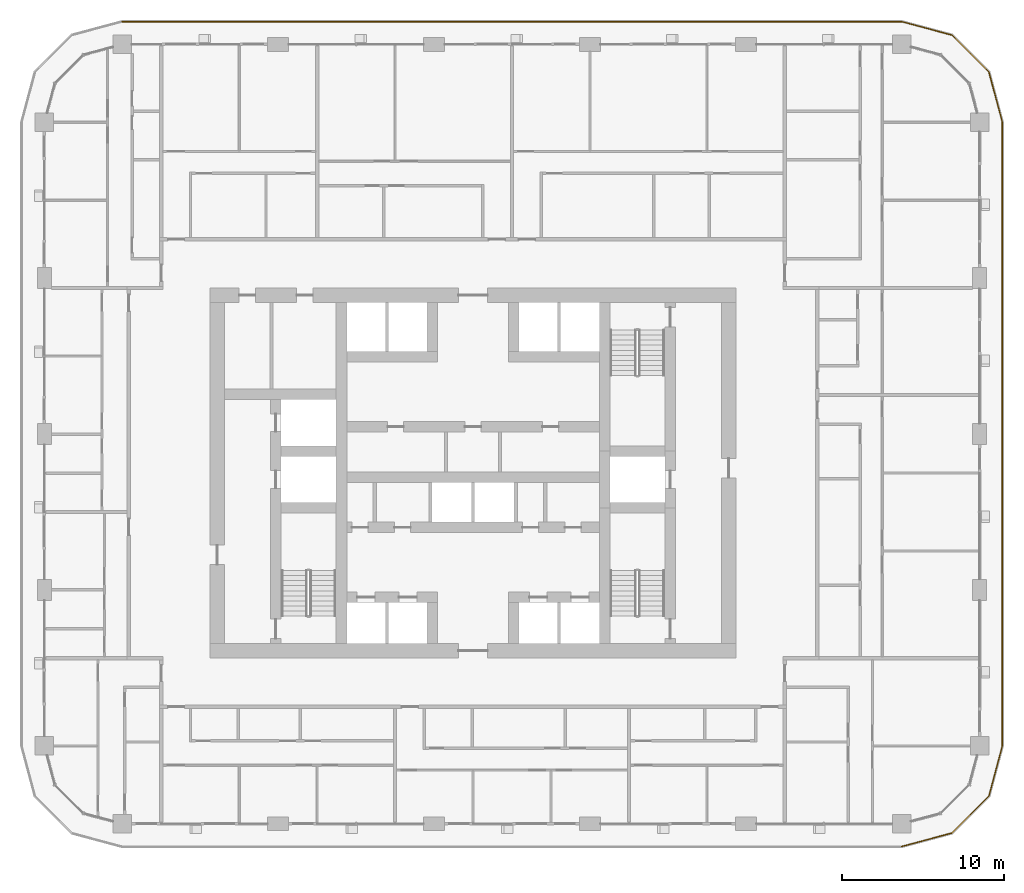
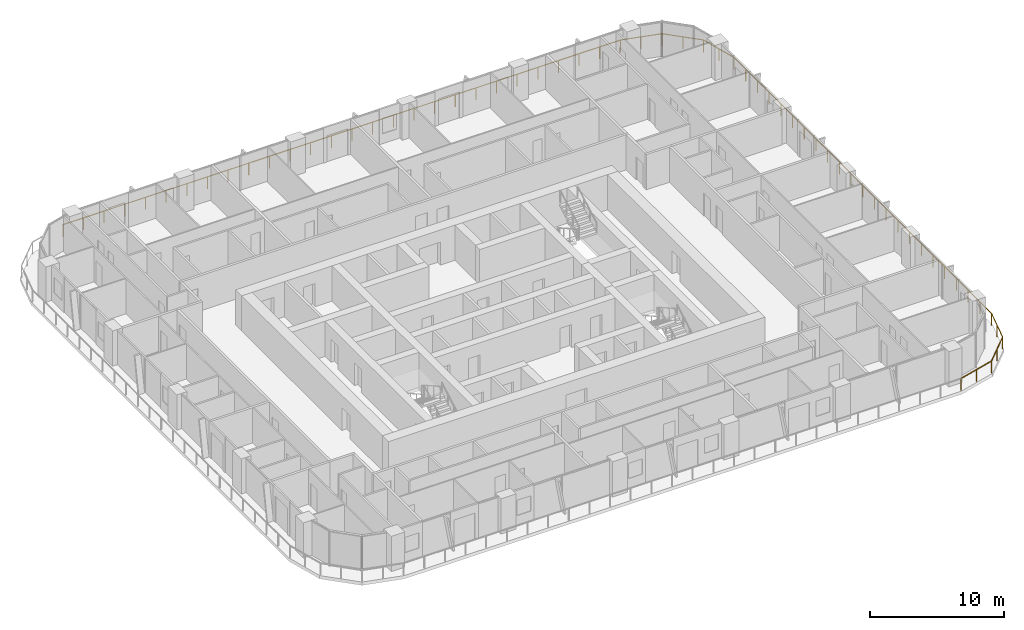
# One storey, part 20 of 22: 1 railing.
"""IFC4 building model written with IfcOpenShell, lengths in metres."""

from ifc_helpers import new_model, si_unit, direction, frame, origin, origin_2d, place, context, subcontext, project, spatial, circle, extrude, material, type_object, element, save


model = new_model("IFC4")

# Units and contexts
model_context = context("Model", 3, precision=1e-05, world=origin(), true_north=direction((0.0, 1.0)))
body_context = subcontext(model_context, "Body", "Model", "MODEL_VIEW")
ifc_project = project(units=[si_unit("LENGTHUNIT", "METRE"), si_unit("AREAUNIT", "SQUARE_METRE"), si_unit("VOLUMEUNIT", "CUBIC_METRE"), si_unit("PLANEANGLEUNIT", "RADIAN"), si_unit("MASSUNIT", "GRAM", prefix="KILO")], contexts=[model_context])

# Site, building, storey
site_placement = place(None, origin())
site = spatial("IfcSite", under=ifc_project, at=site_placement, CompositionType="ELEMENT")
building_placement = place(site_placement, origin())
building = spatial("IfcBuilding", under=site, at=building_placement, Name="Madar Terraces", CompositionType="ELEMENT")
storey_placement = place(building_placement, frame((0.0, 0.0, 99.699951171875)))
storey = spatial("IfcBuildingStorey", under=building, at=storey_placement, Name="L25", CompositionType="ELEMENT", Elevation=99.699951171875)

# Railing
ifc_material = material(Name="Glass, safety glazing, with stainless steel posts", Category="steel")
railing_type = type_object("IfcRailingType", Name="Balcony glass guard 1100", PredefinedType="GUARDRAIL", material=ifc_material)
railing_placement = place(storey_placement, frame((57.60009765625, 3.39990234375, 0.0)))
element("IfcRailing", 1, at=railing_placement, inside=storey, type_object=railing_type, Name="Balcony guard", PredefinedType="GUARDRAIL", context=body_context, shape_type="SweptSolid", body=[
    extrude(circle(Radius=0.02392578125, at=origin_2d()), frame((0.0, 0.0, 1.076171875), z_axis=(0.965909675762, 0.25887931217, 0.0), x_axis=(-0.25887931217, 0.965909675762, 0.0)), (0.0, 0.0, 1.0), 3.209228515625),
    extrude(circle(Radius=0.02392578125, at=origin_2d()), frame((3.099853515625, 0.830810546875, 1.076171875), z_axis=(0.707144815061, 0.707068745266, 0.0), x_axis=(-0.707068745266, 0.707144815061, 0.0)), (0.0, 0.0, 1.0), 3.20947265625),
    extrude(circle(Radius=0.02392578125, at=origin_2d()), frame((5.369384765625, 3.10009765625, 1.076171875), z_axis=(0.258789317819, 0.9659337912, 0.0), x_axis=(-0.9659337912, 0.258789317819, 0.0)), (0.0, 0.0, 1.0), 3.20947265625),
    extrude(circle(Radius=0.02392578125, at=origin_2d()), frame((6.199951171875, 6.2001953125, 1.076171875), z_axis=(0.0, 1.0, 0.0), x_axis=(-1.0, 0.0, 0.0)), (0.0, 0.0, 1.0), 38.39990234375),
    extrude(circle(Radius=0.02392578125, at=origin_2d()), frame((6.199951171875, 44.60009765625, 1.076171875), z_axis=(-0.258789317819, 0.9659337912, 0.0), x_axis=(-0.9659337912, -0.258789317819, 0.0)), (0.0, 0.0, 1.0), 3.20947265625),
    extrude(circle(Radius=0.02392578125, at=origin_2d()), frame((5.369384765625, 47.7001953125, 1.076171875), z_axis=(-0.707144815061, 0.707068745266, 0.0), x_axis=(-0.707068745266, -0.707144815061, 0.0)), (0.0, 0.0, 1.0), 3.20947265625),
    extrude(circle(Radius=0.02392578125, at=origin_2d()), frame((3.099853515625, 49.969482421875, 1.076171875), z_axis=(-0.965928696102, 0.258808334578, 0.0), x_axis=(-0.258808334578, -0.965928696102, 0.0)), (0.0, 0.0, 1.0), 3.209228515625),
    extrude(circle(Radius=0.02392578125, at=origin_2d()), frame((0.0, 50.800048828125, 1.076171875), z_axis=(-1.0, 0.0, 0.0), x_axis=(0.0, -1.0, 0.0)), (0.0, 0.0, 1.0), 48.0),
    extrude(circle(Radius=0.02099609375, at=origin_2d()), origin(), (0.0, 0.0, 1.0), 1.052001953125),
    extrude(circle(Radius=0.02099609375, at=origin_2d()), frame((1.5498046875, 0.41552734375, 0.0)), (0.0, 0.0, 1.0), 1.052001953125),
    extrude(circle(Radius=0.02099609375, at=origin_2d()), frame((3.099853515625, 0.830810546875, 0.0)), (0.0, 0.0, 1.0), 1.052001953125),
    extrude(circle(Radius=0.02099609375, at=origin_2d()), frame((4.234619140625, 1.96533203125, 0.0)), (0.0, 0.0, 1.0), 1.052001953125),
    extrude(circle(Radius=0.02099609375, at=origin_2d()), frame((5.369384765625, 3.10009765625, 0.0)), (0.0, 0.0, 1.0), 1.052001953125),
    extrude(circle(Radius=0.02099609375, at=origin_2d()), frame((5.78466796875, 4.650146484375, 0.0)), (0.0, 0.0, 1.0), 1.052001953125),
    extrude(circle(Radius=0.02099609375, at=origin_2d()), frame((6.199951171875, 6.2001953125, 0.0)), (0.0, 0.0, 1.0), 1.052001953125),
    extrude(circle(Radius=0.02099609375, at=origin_2d()), frame((6.199951171875, 7.945556640625, 0.0)), (0.0, 0.0, 1.0), 1.052001953125),
    extrude(circle(Radius=0.02099609375, at=origin_2d()), frame((6.199951171875, 9.691162109375, 0.0)), (0.0, 0.0, 1.0), 1.052001953125),
    extrude(circle(Radius=0.02099609375, at=origin_2d()), frame((6.199951171875, 11.4365234375, 0.0)), (0.0, 0.0, 1.0), 1.052001953125),
    extrude(circle(Radius=0.02099609375, at=origin_2d()), frame((6.199951171875, 13.181884765625, 0.0)), (0.0, 0.0, 1.0), 1.052001953125),
    extrude(circle(Radius=0.02099609375, at=origin_2d()), frame((6.199951171875, 14.927490234375, 0.0)), (0.0, 0.0, 1.0), 1.052001953125),
    extrude(circle(Radius=0.02099609375, at=origin_2d()), frame((6.199951171875, 16.6728515625, 0.0)), (0.0, 0.0, 1.0), 1.052001953125),
    extrude(circle(Radius=0.02099609375, at=origin_2d()), frame((6.199951171875, 18.41845703125, 0.0)), (0.0, 0.0, 1.0), 1.052001953125),
    extrude(circle(Radius=0.02099609375, at=origin_2d()), frame((6.199951171875, 20.163818359375, 0.0)), (0.0, 0.0, 1.0), 1.052001953125),
    extrude(circle(Radius=0.02099609375, at=origin_2d()), frame((6.199951171875, 21.9091796875, 0.0)), (0.0, 0.0, 1.0), 1.052001953125),
    extrude(circle(Radius=0.02099609375, at=origin_2d()), frame((6.199951171875, 23.65478515625, 0.0)), (0.0, 0.0, 1.0), 1.052001953125),
    extrude(circle(Radius=0.02099609375, at=origin_2d()), frame((6.199951171875, 25.400146484375, 0.0)), (0.0, 0.0, 1.0), 1.052001953125),
    extrude(circle(Radius=0.02099609375, at=origin_2d()), frame((6.199951171875, 27.1455078125, 0.0)), (0.0, 0.0, 1.0), 1.052001953125),
    extrude(circle(Radius=0.02099609375, at=origin_2d()), frame((6.199951171875, 28.89111328125, 0.0)), (0.0, 0.0, 1.0), 1.052001953125),
    extrude(circle(Radius=0.02099609375, at=origin_2d()), frame((6.199951171875, 30.636474609375, 0.0)), (0.0, 0.0, 1.0), 1.052001953125),
    extrude(circle(Radius=0.02099609375, at=origin_2d()), frame((6.199951171875, 32.3818359375, 0.0)), (0.0, 0.0, 1.0), 1.052001953125),
    extrude(circle(Radius=0.02099609375, at=origin_2d()), frame((6.199951171875, 34.12744140625, 0.0)), (0.0, 0.0, 1.0), 1.052001953125),
    extrude(circle(Radius=0.02099609375, at=origin_2d()), frame((6.199951171875, 35.872802734375, 0.0)), (0.0, 0.0, 1.0), 1.052001953125),
    extrude(circle(Radius=0.02099609375, at=origin_2d()), frame((6.199951171875, 37.618408203125, 0.0)), (0.0, 0.0, 1.0), 1.052001953125),
    extrude(circle(Radius=0.02099609375, at=origin_2d()), frame((6.199951171875, 39.36376953125, 0.0)), (0.0, 0.0, 1.0), 1.052001953125),
    extrude(circle(Radius=0.02099609375, at=origin_2d()), frame((6.199951171875, 41.109130859375, 0.0)), (0.0, 0.0, 1.0), 1.052001953125),
    extrude(circle(Radius=0.02099609375, at=origin_2d()), frame((6.199951171875, 42.854736328125, 0.0)), (0.0, 0.0, 1.0), 1.052001953125),
    extrude(circle(Radius=0.02099609375, at=origin_2d()), frame((6.199951171875, 44.60009765625, 0.0)), (0.0, 0.0, 1.0), 1.052001953125),
    extrude(circle(Radius=0.02099609375, at=origin_2d()), frame((5.78466796875, 46.150146484375, 0.0)), (0.0, 0.0, 1.0), 1.052001953125),
    extrude(circle(Radius=0.02099609375, at=origin_2d()), frame((5.369384765625, 47.7001953125, 0.0)), (0.0, 0.0, 1.0), 1.052001953125),
    extrude(circle(Radius=0.02099609375, at=origin_2d()), frame((4.234619140625, 48.8349609375, 0.0)), (0.0, 0.0, 1.0), 1.052001953125),
    extrude(circle(Radius=0.02099609375, at=origin_2d()), frame((3.099853515625, 49.969482421875, 0.0)), (0.0, 0.0, 1.0), 1.052001953125),
    extrude(circle(Radius=0.02099609375, at=origin_2d()), frame((1.5498046875, 50.384765625, 0.0)), (0.0, 0.0, 1.0), 1.052001953125),
    extrude(circle(Radius=0.02099609375, at=origin_2d()), frame((0.0, 50.800048828125, 0.0)), (0.0, 0.0, 1.0), 1.052001953125),
    extrude(circle(Radius=0.02099609375, at=origin_2d()), frame((-1.77783203125, 50.800048828125, 0.0)), (0.0, 0.0, 1.0), 1.052001953125),
    extrude(circle(Radius=0.02099609375, at=origin_2d()), frame((-3.5556640625, 50.800048828125, 0.0)), (0.0, 0.0, 1.0), 1.052001953125),
    extrude(circle(Radius=0.02099609375, at=origin_2d()), frame((-5.333251953125, 50.800048828125, 0.0)), (0.0, 0.0, 1.0), 1.052001953125),
    extrude(circle(Radius=0.02099609375, at=origin_2d()), frame((-7.111083984375, 50.800048828125, 0.0)), (0.0, 0.0, 1.0), 1.052001953125),
    extrude(circle(Radius=0.02099609375, at=origin_2d()), frame((-8.888916015625, 50.800048828125, 0.0)), (0.0, 0.0, 1.0), 1.052001953125),
    extrude(circle(Radius=0.02099609375, at=origin_2d()), frame((-10.666748046875, 50.800048828125, 0.0)), (0.0, 0.0, 1.0), 1.052001953125),
    extrude(circle(Radius=0.02099609375, at=origin_2d()), frame((-12.4443359375, 50.800048828125, 0.0)), (0.0, 0.0, 1.0), 1.052001953125),
    extrude(circle(Radius=0.02099609375, at=origin_2d()), frame((-14.22216796875, 50.800048828125, 0.0)), (0.0, 0.0, 1.0), 1.052001953125),
    extrude(circle(Radius=0.02099609375, at=origin_2d()), frame((-16.0, 50.800048828125, 0.0)), (0.0, 0.0, 1.0), 1.052001953125),
    extrude(circle(Radius=0.02099609375, at=origin_2d()), frame((-17.77783203125, 50.800048828125, 0.0)), (0.0, 0.0, 1.0), 1.052001953125),
    extrude(circle(Radius=0.02099609375, at=origin_2d()), frame((-19.5556640625, 50.800048828125, 0.0)), (0.0, 0.0, 1.0), 1.052001953125),
    extrude(circle(Radius=0.02099609375, at=origin_2d()), frame((-21.333251953125, 50.800048828125, 0.0)), (0.0, 0.0, 1.0), 1.052001953125),
    extrude(circle(Radius=0.02099609375, at=origin_2d()), frame((-23.111083984375, 50.800048828125, 0.0)), (0.0, 0.0, 1.0), 1.052001953125),
    extrude(circle(Radius=0.02099609375, at=origin_2d()), frame((-24.888916015625, 50.800048828125, 0.0)), (0.0, 0.0, 1.0), 1.052001953125),
    extrude(circle(Radius=0.02099609375, at=origin_2d()), frame((-26.666748046875, 50.800048828125, 0.0)), (0.0, 0.0, 1.0), 1.052001953125),
    extrude(circle(Radius=0.02099609375, at=origin_2d()), frame((-28.4443359375, 50.800048828125, 0.0)), (0.0, 0.0, 1.0), 1.052001953125),
    extrude(circle(Radius=0.02099609375, at=origin_2d()), frame((-30.22216796875, 50.800048828125, 0.0)), (0.0, 0.0, 1.0), 1.052001953125),
    extrude(circle(Radius=0.02099609375, at=origin_2d()), frame((-32.0, 50.800048828125, 0.0)), (0.0, 0.0, 1.0), 1.052001953125),
    extrude(circle(Radius=0.02099609375, at=origin_2d()), frame((-33.77783203125, 50.800048828125, 0.0)), (0.0, 0.0, 1.0), 1.052001953125),
    extrude(circle(Radius=0.02099609375, at=origin_2d()), frame((-35.5556640625, 50.800048828125, 0.0)), (0.0, 0.0, 1.0), 1.052001953125),
    extrude(circle(Radius=0.02099609375, at=origin_2d()), frame((-37.333251953125, 50.800048828125, 0.0)), (0.0, 0.0, 1.0), 1.052001953125),
    extrude(circle(Radius=0.02099609375, at=origin_2d()), frame((-39.111083984375, 50.800048828125, 0.0)), (0.0, 0.0, 1.0), 1.052001953125),
    extrude(circle(Radius=0.02099609375, at=origin_2d()), frame((-40.888916015625, 50.800048828125, 0.0)), (0.0, 0.0, 1.0), 1.052001953125),
    extrude(circle(Radius=0.02099609375, at=origin_2d()), frame((-42.666748046875, 50.800048828125, 0.0)), (0.0, 0.0, 1.0), 1.052001953125),
    extrude(circle(Radius=0.02099609375, at=origin_2d()), frame((-44.4443359375, 50.800048828125, 0.0)), (0.0, 0.0, 1.0), 1.052001953125),
    extrude(circle(Radius=0.02099609375, at=origin_2d()), frame((-46.22216796875, 50.800048828125, 0.0)), (0.0, 0.0, 1.0), 1.052001953125),
    extrude(circle(Radius=0.02099609375, at=origin_2d()), frame((-48.0, 50.800048828125, 0.0)), (0.0, 0.0, 1.0), 1.052001953125),
])

save(model, "model.ifc")
